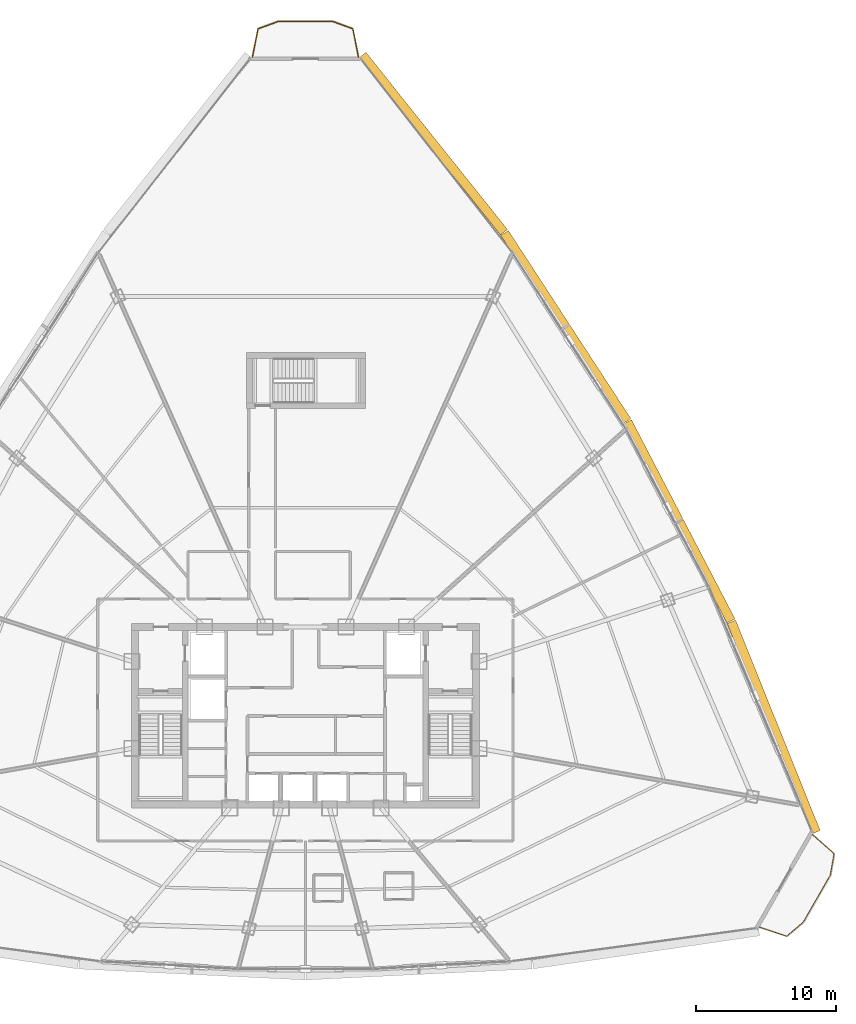
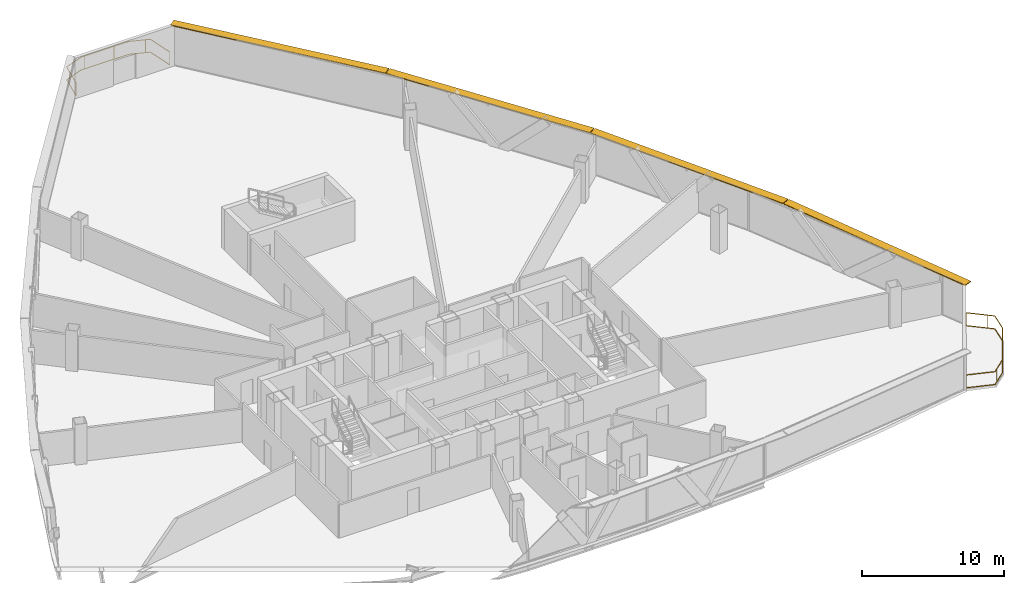
# One storey, part 34 of 34: 4 shading devices, 2 railings.
"""IFC4 building model written with IfcOpenShell, lengths in metres."""

from ifc_helpers import new_model, si_unit, direction, frame, origin, origin_2d, place, context, subcontext, project, spatial, rectangle, extrude, source, transform, mapped, material, layer, layer_set, type_object, element, save


model = new_model("IFC4")

# Units and contexts
model_context = context("Model", 3, precision=1e-05, world=origin(), true_north=direction((0.0, 1.0)))
body_context = subcontext(model_context, "Body", "Model", "MODEL_VIEW")
ifc_project = project(units=[si_unit("LENGTHUNIT", "METRE"), si_unit("AREAUNIT", "SQUARE_METRE"), si_unit("VOLUMEUNIT", "CUBIC_METRE"), si_unit("PLANEANGLEUNIT", "RADIAN"), si_unit("MASSUNIT", "GRAM", prefix="KILO"), si_unit("THERMODYNAMICTEMPERATUREUNIT", "KELVIN"), si_unit("POWERUNIT", "WATT")], contexts=[model_context])

# Site, building, storey
site_placement = place(None, origin())
site = spatial("IfcSite", under=ifc_project, at=site_placement, CompositionType="ELEMENT")
building_placement = place(site_placement, origin())
building = spatial("IfcBuilding", under=site, at=building_placement, Name="Yunzhuo Pagoda Commons", CompositionType="ELEMENT")
storey_placement = place(building_placement, frame((0.0, 0.0, 233.340087890625)))
storey = spatial("IfcBuildingStorey", under=building, at=storey_placement, Name="L58", CompositionType="ELEMENT", Elevation=233.340087890625)

# Railings
ifc_material = material(Name="Anodized aluminium 6063-T6", Category="aluminium")
railing_type = type_object("IfcRailingType", Name="RL-BAL1 Exterior Terrace & Balcony Balustrade 1150", PredefinedType="BALUSTRADE", material=ifc_material)
railing_1_placement = place(storey_placement, frame((80.447265625, 18.742431640625, 0.0)))
element("IfcRailing", 1, at=railing_1_placement, inside=storey, type_object=railing_type, Name="L58 corner balcony balustrade V2", PredefinedType="BALUSTRADE", context=body_context, shape_type="SweptSolid", body=[
    extrude(rectangle(XDim=0.048095703125, YDim=0.048095703125, at=origin_2d()), frame((0.0, 0.0, 1.1259765625), z_axis=(0.947419062147, -0.319995501031, 0.0), x_axis=(0.319995501031, 0.947419062147, 0.0)), (0.0, 0.0, 1.0), 2.05908203125),
    extrude(rectangle(XDim=0.048095703125, YDim=0.048095703125, at=origin_2d()), frame((0.0, 0.0, 0.02392578125), z_axis=(0.947419062147, -0.319995501031, 0.0), x_axis=(0.319995501031, 0.947419062147, 0.0)), (0.0, 0.0, 1.0), 2.05908203125),
    extrude(rectangle(XDim=0.048095703125, YDim=0.048095703125, at=origin_2d()), frame((1.950927734375, -0.658935546875, 1.1259765625), z_axis=(0.763546898029, 0.645752378633, 0.0), x_axis=(-0.645752378633, 0.763546898029, 0.0)), (0.0, 0.0, 1.0), 1.556640625),
    extrude(rectangle(XDim=0.048095703125, YDim=0.048095703125, at=origin_2d()), frame((1.950927734375, -0.658935546875, 0.02392578125), z_axis=(0.763546898029, 0.645752378633, 0.0), x_axis=(-0.645752378633, 0.763546898029, 0.0)), (0.0, 0.0, 1.0), 1.556640625),
    extrude(rectangle(XDim=0.048095703125, YDim=0.048095703125, at=origin_2d()), frame((3.139404296875, 0.34619140625, 1.1259765625), z_axis=(0.497903387026, 0.867232504688, 0.0), x_axis=(-0.867232504688, 0.497903387026, 0.0)), (0.0, 0.0, 1.0), 3.886962890625),
    extrude(rectangle(XDim=0.048095703125, YDim=0.048095703125, at=origin_2d()), frame((3.139404296875, 0.34619140625, 0.02392578125), z_axis=(0.497903387026, 0.867232504688, 0.0), x_axis=(-0.867232504688, 0.497903387026, 0.0)), (0.0, 0.0, 1.0), 3.886962890625),
    extrude(rectangle(XDim=0.048095703125, YDim=0.048095703125, at=origin_2d()), frame((5.07470703125, 3.717041015625, 1.1259765625), z_axis=(0.172863553259, 0.984945781226, 0.0), x_axis=(-0.984945781226, 0.172863553259, 0.0)), (0.0, 0.0, 1.0), 1.556396484375),
    extrude(rectangle(XDim=0.048095703125, YDim=0.048095703125, at=origin_2d()), frame((5.07470703125, 3.717041015625, 0.02392578125), z_axis=(0.172863553259, 0.984945781226, 0.0), x_axis=(-0.984945781226, 0.172863553259, 0.0)), (0.0, 0.0, 1.0), 1.556396484375),
    extrude(rectangle(XDim=0.048095703125, YDim=0.048095703125, at=origin_2d()), frame((5.34375, 5.25, 1.1259765625), z_axis=(-0.753984993137, 0.656891642605, 0.0), x_axis=(-0.656891642605, -0.753984993137, 0.0)), (0.0, 0.0, 1.0), 2.059326171875),
    extrude(rectangle(XDim=0.048095703125, YDim=0.048095703125, at=origin_2d()), frame((5.34375, 5.25, 0.02392578125), z_axis=(-0.753984993137, 0.656891642605, 0.0), x_axis=(-0.656891642605, -0.753984993137, 0.0)), (0.0, 0.0, 1.0), 2.059326171875),
    extrude(rectangle(XDim=0.0419921875, YDim=0.0419921875, at=origin_2d()), origin(), (0.0, 0.0, 1.0), 1.101806640625),
    extrude(rectangle(XDim=0.0419921875, YDim=0.0419921875, at=origin_2d()), frame((2.211181640625, -0.43896484375, 0.0)), (0.0, 0.0, 1.0), 1.101806640625),
    extrude(rectangle(XDim=0.0419921875, YDim=0.0419921875, at=origin_2d()), frame((3.72900390625, 1.373291015625, 0.0)), (0.0, 0.0, 1.0), 1.101806640625),
    extrude(rectangle(XDim=0.0419921875, YDim=0.0419921875, at=origin_2d()), frame((4.924072265625, 3.45458984375, 0.0)), (0.0, 0.0, 1.0), 1.101806640625),
    extrude(rectangle(XDim=0.0419921875, YDim=0.0419921875, at=origin_2d()), frame((4.935791015625, 5.60546875, 0.0)), (0.0, 0.0, 1.0), 1.101806640625),
    extrude(rectangle(XDim=0.0419921875, YDim=0.0419921875, at=origin_2d()), frame((3.791015625, 6.602783203125, 0.0)), (0.0, 0.0, 1.0), 1.101806640625),
])
railing_2_placement = place(storey_placement, frame((51.790771484375, 80.931884765625, 0.0)))
element("IfcRailing", 2, at=railing_2_placement, inside=storey, type_object=railing_type, Name="L58 corner balcony balustrade V3", PredefinedType="BALUSTRADE", context=body_context, shape_type="SweptSolid", body=[
    extrude(rectangle(XDim=0.048095703125, YDim=0.048095703125, at=origin_2d()), frame((0.0, 0.0, 1.1259765625), z_axis=(-0.194200568098, 0.980961843983, 0.0), x_axis=(-0.980961843983, -0.194200568098, 0.0)), (0.0, 0.0, 1.0), 2.059326171875),
    extrude(rectangle(XDim=0.048095703125, YDim=0.048095703125, at=origin_2d()), frame((0.0, 0.0, 0.02392578125), z_axis=(-0.194200568098, 0.980961843983, 0.0), x_axis=(-0.980961843983, -0.194200568098, 0.0)), (0.0, 0.0, 1.0), 2.059326171875),
    extrude(rectangle(XDim=0.048095703125, YDim=0.048095703125, at=origin_2d()), frame((-0.39990234375, 2.02001953125, 1.1259765625), z_axis=(-0.939641477641, 0.342160625287, 0.0), x_axis=(-0.342160625287, -0.939641477641, 0.0)), (0.0, 0.0, 1.0), 1.549072265625),
    extrude(rectangle(XDim=0.048095703125, YDim=0.048095703125, at=origin_2d()), frame((-0.39990234375, 2.02001953125, 0.02392578125), z_axis=(-0.939641477641, 0.342160625287, 0.0), x_axis=(-0.342160625287, -0.939641477641, 0.0)), (0.0, 0.0, 1.0), 1.549072265625),
    extrude(rectangle(XDim=0.048095703125, YDim=0.048095703125, at=origin_2d()), frame((-1.85546875, 2.550048828125, 1.1259765625), z_axis=(-1.0, 0.0, 0.0), x_axis=(0.0, -1.0, 0.0)), (0.0, 0.0, 1.0), 3.87060546875),
    extrude(rectangle(XDim=0.048095703125, YDim=0.048095703125, at=origin_2d()), frame((-1.85546875, 2.550048828125, 0.02392578125), z_axis=(-1.0, 0.0, 0.0), x_axis=(0.0, -1.0, 0.0)), (0.0, 0.0, 1.0), 3.87060546875),
    extrude(rectangle(XDim=0.048095703125, YDim=0.048095703125, at=origin_2d()), frame((-5.72607421875, 2.550048828125, 1.1259765625), z_axis=(-0.939641477641, -0.342160625287, 0.0), x_axis=(0.342160625287, -0.939641477641, 0.0)), (0.0, 0.0, 1.0), 1.549072265625),
    extrude(rectangle(XDim=0.048095703125, YDim=0.048095703125, at=origin_2d()), frame((-5.72607421875, 2.550048828125, 0.02392578125), z_axis=(-0.939641477641, -0.342160625287, 0.0), x_axis=(0.342160625287, -0.939641477641, 0.0)), (0.0, 0.0, 1.0), 1.549072265625),
    extrude(rectangle(XDim=0.048095703125, YDim=0.048095703125, at=origin_2d()), frame((-7.181640625, 2.02001953125, 1.1259765625), z_axis=(-0.194200568098, -0.980961843983, 0.0), x_axis=(0.980961843983, -0.194200568098, 0.0)), (0.0, 0.0, 1.0), 2.059326171875),
    extrude(rectangle(XDim=0.048095703125, YDim=0.048095703125, at=origin_2d()), frame((-7.181640625, 2.02001953125, 0.02392578125), z_axis=(-0.194200568098, -0.980961843983, 0.0), x_axis=(0.980961843983, -0.194200568098, 0.0)), (0.0, 0.0, 1.0), 2.059326171875),
    extrude(rectangle(XDim=0.0419921875, YDim=0.0419921875, at=origin_2d()), origin(), (0.0, 0.0, 1.0), 1.101806640625),
    extrude(rectangle(XDim=0.0419921875, YDim=0.0419921875, at=origin_2d()), frame((-0.72021484375, 2.13671875, 0.0)), (0.0, 0.0, 1.0), 1.101806640625),
    extrude(rectangle(XDim=0.0419921875, YDim=0.0419921875, at=origin_2d()), frame((-3.047119140625, 2.550048828125, 0.0)), (0.0, 0.0, 1.0), 1.101806640625),
    extrude(rectangle(XDim=0.0419921875, YDim=0.0419921875, at=origin_2d()), frame((-5.447265625, 2.550048828125, 0.0)), (0.0, 0.0, 1.0), 1.101806640625),
    extrude(rectangle(XDim=0.0419921875, YDim=0.0419921875, at=origin_2d()), frame((-7.292724609375, 1.458984375, 0.0)), (0.0, 0.0, 1.0), 1.101806640625),
    extrude(rectangle(XDim=0.0419921875, YDim=0.0419921875, at=origin_2d()), frame((-7.58154296875, 0.0, 0.0)), (0.0, 0.0, 1.0), 1.101806640625),
])

# Shading devices
ifc_layer = layer(ifc_material, 0.080078125)
ifc_layer_set = layer_set([ifc_layer], Name="Anodized aluminium 6063-T6")
shading_device_type = type_object("IfcShadingDeviceType", Name="SH-SUN1 Pagoda Horizontal Sunshade Eave 650", PredefinedType="USERDEFINED", material=ifc_layer_set)
shared_shape_1 = source(origin(), body_context, "Body", "SweptSolid", [
    extrude(rectangle(XDim=16.2041015625, YDim=0.64990234375, at=origin_2d()), origin(), (0.0, 0.0, 1.0), 0.080078125),
])
for number, where, z_axis, x_axis, name in (
    (3, (81.471435546875, 33.0400390625, 3.389892578125), (0.0, 0.0, 1.0), (-0.372987782576, 0.927836253899, 0.0), "L58 horizontal pagoda sunshade eave F2.1"),
    (4, (57.130615234375, 74.73828125, 3.389892578125), (0.0, 0.0, 1.0), (-0.624520471688, 0.781008438138, 0.0), "L58 horizontal pagoda sunshade eave F2.4"),
):
    element("IfcShadingDevice", number, at=place(storey_placement, frame(where, z_axis=z_axis, x_axis=x_axis)), inside=storey, type_object=shading_device_type, Name=name, ObjectType="SUNSHADE", PredefinedType="USERDEFINED", context=body_context, shape_type="MappedRepresentation", body=[
        mapped(shared_shape_1, transform((0.0, 0.0, 0.0), scale=1.0)),
    ])
shared_shape_2 = source(origin(), body_context, "Body", "SweptSolid", [
    extrude(rectangle(XDim=16.05029296875, YDim=0.64990234375, at=origin_2d()), origin(), (0.0, 0.0, 1.0), 0.080078125),
])
for number, where, z_axis, x_axis, name in (
    (5, (74.7216796875, 47.735595703125, 3.389892578125), (0.0, 0.0, 1.0), (-0.461206683033, 0.88729273384, 0.0), "L58 horizontal pagoda sunshade eave F2.2"),
    (6, (66.608154296875, 61.63525390625, 3.389892578125), (0.0, 0.0, 1.0), (-0.545838756973, 0.837890238269, 0.0), "L58 horizontal pagoda sunshade eave F2.3"),
):
    element("IfcShadingDevice", number, at=place(storey_placement, frame(where, z_axis=z_axis, x_axis=x_axis)), inside=storey, type_object=shading_device_type, Name=name, ObjectType="SUNSHADE", PredefinedType="USERDEFINED", context=body_context, shape_type="MappedRepresentation", body=[
        mapped(shared_shape_2, transform((0.0, 0.0, 0.0), scale=1.0)),
    ])

save(model, "model.ifc")
